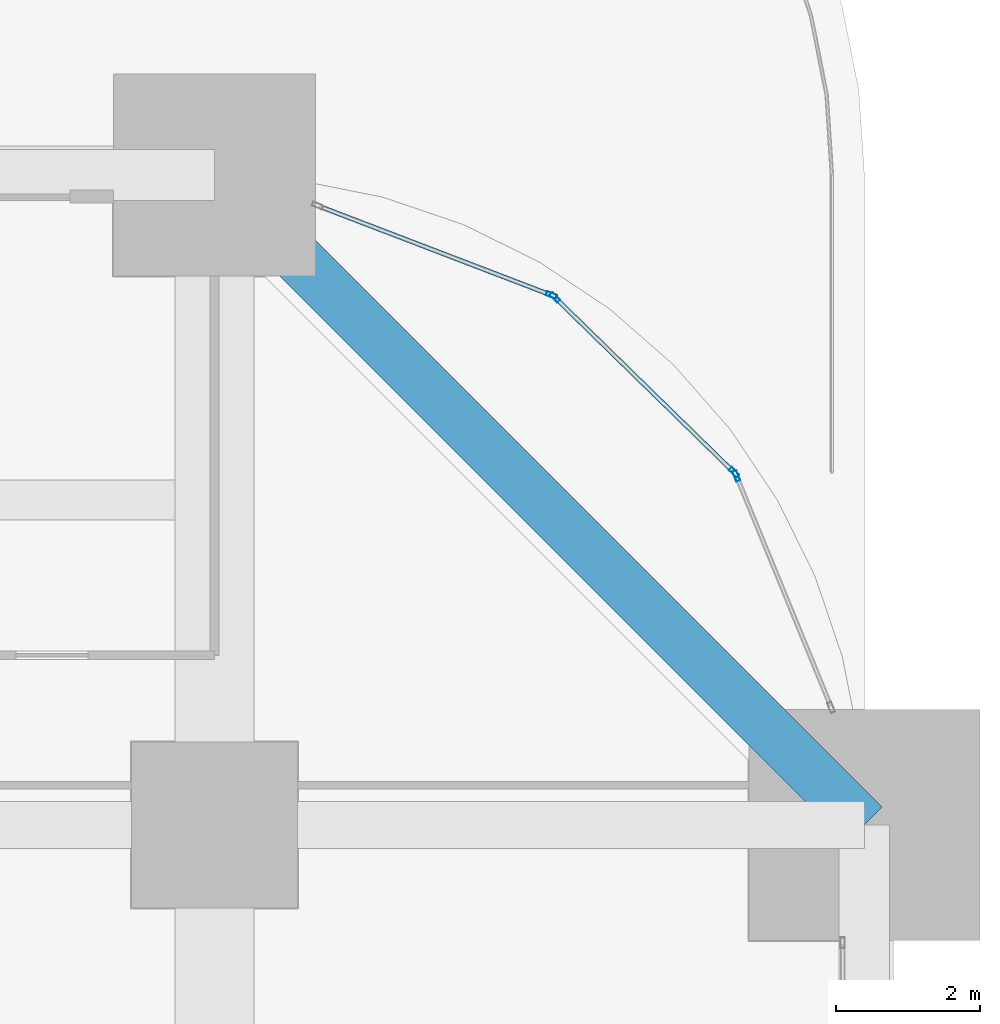
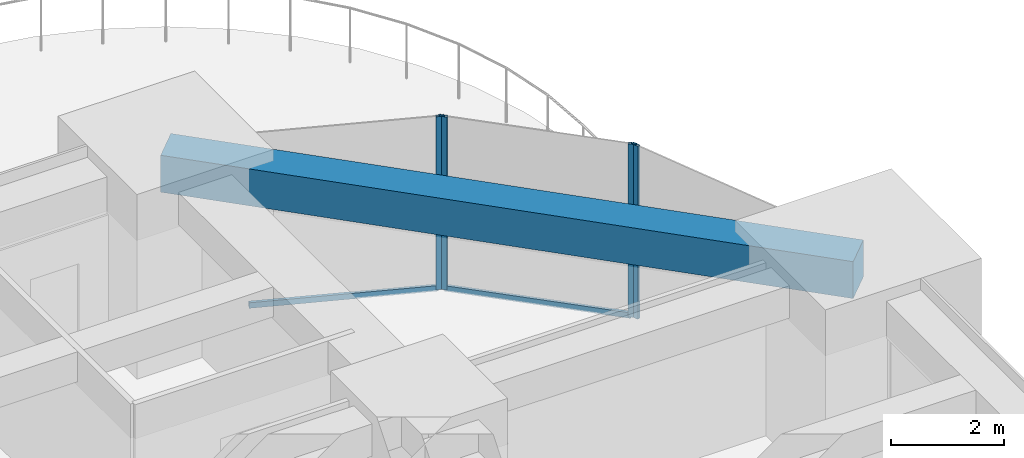
# One storey, part 34 of 50: 6 members, 1 beam, 3 elements without a shape of their own.
"""IFC4 building model written with IfcOpenShell, lengths in metres."""

from ifc_helpers import new_model, si_unit, direction, frame, origin, origin_2d, place, context, subcontext, project, spatial, rectangle, hollow_rectangle, extrude, material, material_profile, profile_set, type_object, element, aggregate, save


model = new_model("IFC4")

# Units and contexts
model_context = context("Model", 3, precision=1e-05, world=origin(), true_north=direction((0.0, 1.0)))
body_context = subcontext(model_context, "Body", "Model", "MODEL_VIEW")
ifc_project = project(units=[si_unit("LENGTHUNIT", "METRE"), si_unit("AREAUNIT", "SQUARE_METRE"), si_unit("VOLUMEUNIT", "CUBIC_METRE"), si_unit("PLANEANGLEUNIT", "RADIAN"), si_unit("MASSUNIT", "GRAM", prefix="KILO")], contexts=[model_context])

# Site, building, storey
site_placement = place(None, origin())
site = spatial("IfcSite", under=ifc_project, at=site_placement, CompositionType="ELEMENT")
building_placement = place(site_placement, origin())
building = spatial("IfcBuilding", under=site, at=building_placement, Name="Zorevar Civic Tower", CompositionType="ELEMENT")
storey_placement = place(building_placement, frame((0.0, 0.0, 85.0)))
storey = spatial("IfcBuildingStorey", under=building, at=storey_placement, Name="L20", CompositionType="ELEMENT", Elevation=85.0)

# Curtain wall, member
ifc_material_1 = material(Name="Dark grey solar-control glass in black aluminium frame", Category="aluminium")
curtain_wall_type = type_object("IfcCurtainWallType", Name="Curtain wall CW3 mid zone", PredefinedType="NOTDEFINED", material=ifc_material_1)
curtain_wall_1_placement = place(storey_placement, origin())
curtain_wall_1 = element("IfcCurtainWall", 1, at=curtain_wall_1_placement, inside=storey, type_object=curtain_wall_type, Name="CW3 L20", PredefinedType="NOTDEFINED")
ifc_material_2 = material(Name="Aluminium, black anodised", Category="aluminium")
ifc_material_profile_1 = material_profile(ifc_material_2, hollow_rectangle(XDim=0.06005859375, YDim=0.14990234375, WallThickness=0.00390625, at=origin_2d()), Name="AL 150x60x4")
ifc_profile_set_1 = profile_set([ifc_material_profile_1], Name="Aluminium, black anodised")
member_type_1 = type_object("IfcMemberType", Name="CW3 mullion AL 150x60x4", PredefinedType="MULLION", material=ifc_profile_set_1)
member_1_placement = place(storey_placement, frame((61.225830078125, 40.83447265625, 0.0), z_axis=(0.0, 0.0, 1.0), x_axis=(-0.925293982968, -0.379250636233, 0.0)))
member_1 = element("IfcMember", 2, at=member_1_placement, type_object=member_type_1, Name="CW3 mullion 2", PredefinedType="MULLION", context=body_context, shape_type="SweptSolid", body=[
    extrude(hollow_rectangle(XDim=0.06005859375, YDim=0.14990234375, WallThickness=0.00390625, at=origin_2d()), origin(), (0.0, 0.0, 1.0), 3.75),
])
aggregate(curtain_wall_1, [member_1])

# Curtain wall, members
curtain_wall_2_placement = place(storey_placement, origin())
curtain_wall_2 = element("IfcCurtainWall", 3, at=curtain_wall_2_placement, inside=storey, type_object=curtain_wall_type, Name="CW3 L20", PredefinedType="NOTDEFINED")
member_2_placement = place(storey_placement, frame((61.193115234375, 40.88330078125, 0.0), z_axis=(0.0, 0.0, 1.0), x_axis=(-0.698796831156, -0.715320200166, 0.0)))
member_2 = element("IfcMember", 4, at=member_2_placement, type_object=member_type_1, Name="CW3 mullion 1", PredefinedType="MULLION", context=body_context, shape_type="SweptSolid", body=[
    extrude(hollow_rectangle(XDim=0.06005859375, YDim=0.14990234375, WallThickness=0.00390625, at=origin_2d()), origin(), (0.0, 0.0, 1.0), 3.75),
])
member_3_placement = place(storey_placement, frame((58.7138671875, 43.304931640625, 0.0), z_axis=(0.0, 0.0, 1.0), x_axis=(-0.698796831156, -0.715320200166, 0.0)))
member_3 = element("IfcMember", 5, at=member_3_placement, type_object=member_type_1, Name="CW3 mullion 2", PredefinedType="MULLION", context=body_context, shape_type="SweptSolid", body=[
    extrude(hollow_rectangle(XDim=0.06005859375, YDim=0.14990234375, WallThickness=0.00390625, at=origin_2d()), origin(), (0.0, 0.0, 1.0), 3.75),
])

# Curtain wall, member
curtain_wall_3_placement = place(storey_placement, origin())
curtain_wall_3 = element("IfcCurtainWall", 6, at=curtain_wall_3_placement, inside=storey, type_object=curtain_wall_type, Name="CW3 L20", PredefinedType="NOTDEFINED")
member_4_placement = place(storey_placement, frame((58.66455078125, 43.336669921875, 0.0), z_axis=(0.0, 0.0, 1.0), x_axis=(-0.35756081575, -0.933889855947, 0.0)))
member_4 = element("IfcMember", 7, at=member_4_placement, type_object=member_type_1, Name="CW3 mullion 1", PredefinedType="MULLION", context=body_context, shape_type="SweptSolid", body=[
    extrude(hollow_rectangle(XDim=0.06005859375, YDim=0.14990234375, WallThickness=0.00390625, at=origin_2d()), origin(), (0.0, 0.0, 1.0), 3.75),
])

# Member
ifc_material_3 = material(Name="Aluminium, black anodised", Category="aluminium")
ifc_material_profile_2 = material_profile(ifc_material_3, hollow_rectangle(XDim=0.06005859375, YDim=0.1201171875, WallThickness=0.0029296875, at=origin_2d()), Name="AL 120x60x3")
ifc_profile_set_2 = profile_set([ifc_material_profile_2], Name="Aluminium, black anodised")
member_type_2 = type_object("IfcMemberType", Name="CW3 transom AL 120x60x3", PredefinedType="USERDEFINED", material=ifc_profile_set_2)
member_5_placement = place(storey_placement, frame((61.171630859375, 40.904052734375, 0.030029296875), z_axis=(-0.715337845965, 0.698778767659, 0.0), x_axis=(-0.698778767659, -0.715337845965, 0.0)))
member_5 = element("IfcMember", 8, at=member_5_placement, type_object=member_type_2, Name="CW3 sill transom", ObjectType="TRANSOM", PredefinedType="USERDEFINED", context=body_context, shape_type="SweptSolid", body=[
    extrude(hollow_rectangle(XDim=0.06005859375, YDim=0.1201171875, WallThickness=0.0029296875, at=origin_2d()), origin(), (0.0, 0.0, 1.0), 3.40576171875),
])

aggregate(curtain_wall_2, [member_2, member_3, member_5])

member_6_placement = place(storey_placement, frame((58.636474609375, 43.347412109375, 0.030029296875), z_axis=(-0.933882220857, 0.357580756708, 0.0), x_axis=(-0.357580756708, -0.933882220857, 0.0)))
member_6 = element("IfcMember", 9, at=member_6_placement, type_object=member_type_2, Name="CW3 sill transom", ObjectType="TRANSOM", PredefinedType="USERDEFINED", context=body_context, shape_type="SweptSolid", body=[
    extrude(hollow_rectangle(XDim=0.06005859375, YDim=0.1201171875, WallThickness=0.0029296875, at=origin_2d()), origin(), (0.0, 0.0, 1.0), 3.405517578125),
])

aggregate(curtain_wall_3, [member_4, member_6])

# Beam
ifc_material_4 = material(Name="Concrete C50/60", Category="concrete")
ifc_material_profile_3 = material_profile(ifc_material_4, rectangle(XDim=0.699951171875, YDim=0.800048828125, at=origin_2d()), Name="RC 700x800")
ifc_profile_set_3 = profile_set([ifc_material_profile_3], Name="Concrete C50/60")
beam_type = type_object("IfcBeamType", Name="Edge beam RC 700x800", PredefinedType="SPANDREL", material=ifc_profile_set_3)
beam_placement = place(storey_placement, frame((63.0, 36.0, 3.35009765625), z_axis=(-0.707106781187, 0.707106781187, 0.0), x_axis=(-0.707106781187, -0.707106781187, 0.0)))
element("IfcBeam", 10, at=beam_placement, inside=storey, type_object=beam_type, Name="Corner edge beam L21", PredefinedType="SPANDREL", context=body_context, shape_type="SweptSolid", body=[
    extrude(rectangle(XDim=0.699951171875, YDim=0.800048828125, at=origin_2d()), origin(), (0.0, 0.0, 1.0), 12.72802734375),
])

save(model, "model.ifc")
